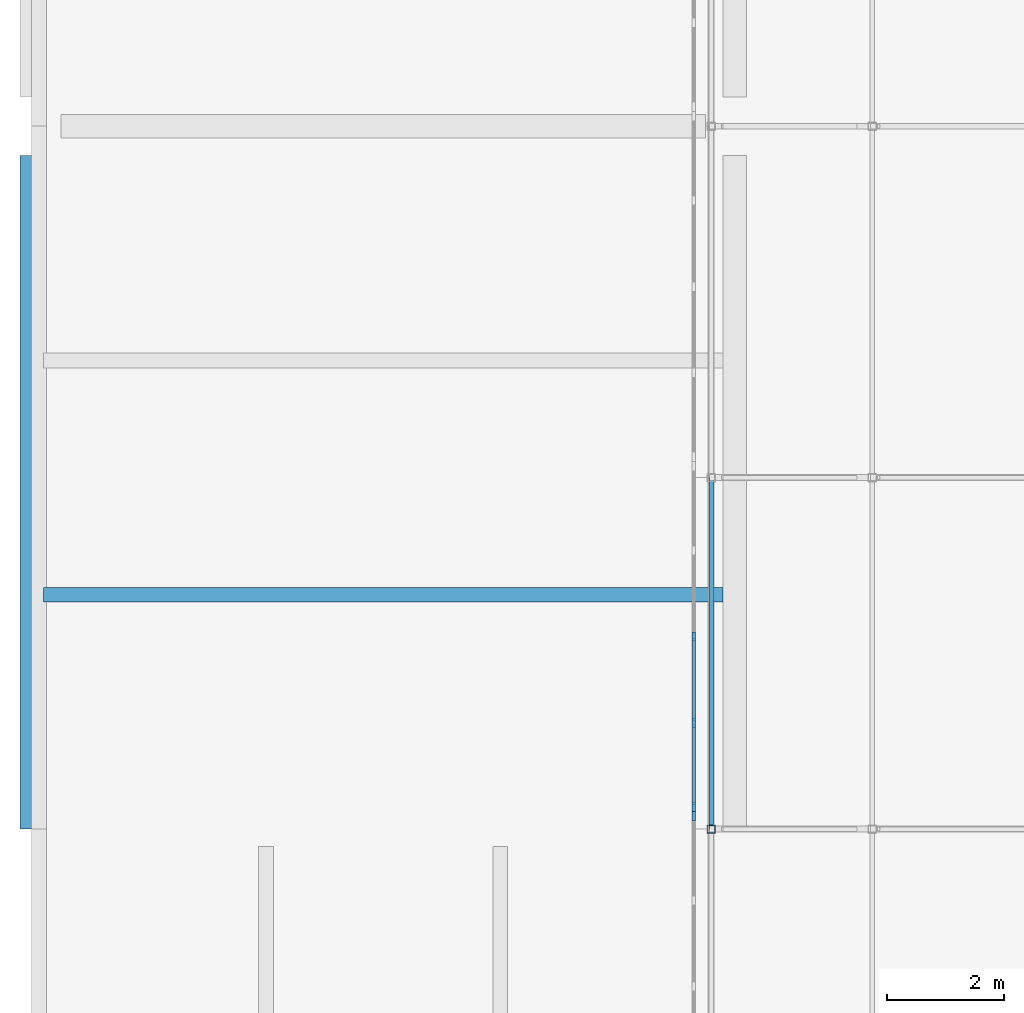
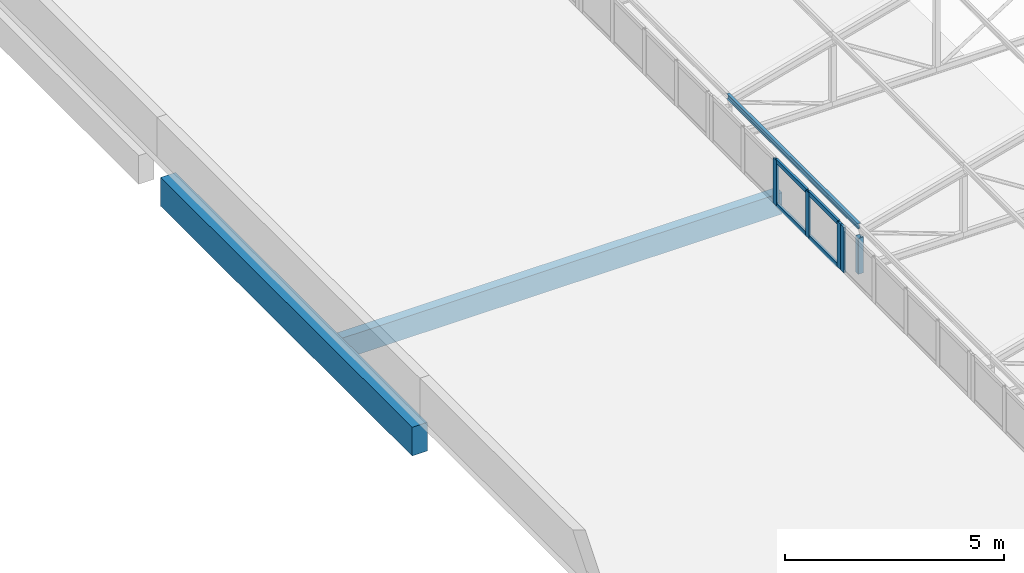
# One storey, part 8 of 94: 10 members, 2 beams, 2 elements without a shape of their own.
"""IFC4 building model written with IfcOpenShell, lengths in metres."""

from ifc_helpers import new_model, si_unit, direction, frame, origin, origin_2d, place, context, subcontext, project, spatial, rectangle, hollow_rectangle, i_section, extrude, material, layer, layer_set, material_profile, profile_set, type_object, element, aggregate, save


model = new_model("IFC4")

# Units and contexts
model_context = context("Model", 3, precision=1e-05, world=origin(), true_north=direction((0.0, 1.0)))
body_context = subcontext(model_context, "Body", "Model", "MODEL_VIEW")
ifc_project = project(units=[si_unit("LENGTHUNIT", "METRE"), si_unit("AREAUNIT", "SQUARE_METRE"), si_unit("VOLUMEUNIT", "CUBIC_METRE"), si_unit("PLANEANGLEUNIT", "RADIAN"), si_unit("MASSUNIT", "GRAM", prefix="KILO")], contexts=[model_context])

# Site, building, storey
site_placement = place(None, origin())
site = spatial("IfcSite", under=ifc_project, at=site_placement, CompositionType="ELEMENT")
building_placement = place(site_placement, origin())
building = spatial("IfcBuilding", under=site, at=building_placement, Name="Lilac Gate Convention Centre", CompositionType="ELEMENT")
storey_placement = place(building_placement, frame((0.0, 0.0, 21.0)))
storey = spatial("IfcBuildingStorey", under=building, at=storey_placement, Name="L04", CompositionType="ELEMENT", Elevation=21.0)

# Curtain wall, member
ifc_material_1 = material(Name="Aluminium framed double glazing", Category="aluminium")
ifc_layer = layer(ifc_material_1, 0.199951171875)
ifc_layer_set = layer_set([ifc_layer], Name="Aluminium framed double glazing")
curtain_wall_type = type_object("IfcCurtainWallType", Name="Unitised curtain wall 1500", PredefinedType="NOTDEFINED", material=ifc_layer_set)
curtain_wall_1_placement = place(storey_placement, origin())
curtain_wall_1 = element("IfcCurtainWall", 1, at=curtain_wall_1_placement, inside=storey, type_object=curtain_wall_type, Name="Lantern clerestory W 4", PredefinedType="NOTDEFINED")
ifc_material_2 = material(Name="Aluminium alloy 6063", Category="aluminium")
ifc_material_profile_1 = material_profile(ifc_material_2, rectangle(XDim=0.06005859375, YDim=0.159912109375, at=origin_2d()), Name="Curtain wall mullion 60 x 160")
ifc_profile_set_1 = profile_set([ifc_material_profile_1], Name="Aluminium alloy 6063")
member_type_1 = type_object("IfcMemberType", Name="Curtain wall mullion 60 x 160", PredefinedType="MULLION", material=ifc_profile_set_1)
member_1_placement = place(storey_placement, frame((17.300048828125, 54.219970703125, 0.0), z_axis=(0.0, 0.0, 1.0), x_axis=(-1.0, 0.0, 0.0)))
member_1 = element("IfcMember", 2, at=member_1_placement, type_object=member_type_1, Name="CW mullion 5", PredefinedType="MULLION", context=body_context, shape_type="SweptSolid", body=[
    extrude(rectangle(XDim=0.06005859375, YDim=0.159912109375, at=origin_2d()), origin(), (0.0, 0.0, 1.0), 1.272216796875),
])
aggregate(curtain_wall_1, [member_1])

# Curtain wall, members
curtain_wall_2_placement = place(storey_placement, origin())
curtain_wall_2 = element("IfcCurtainWall", 3, at=curtain_wall_2_placement, inside=storey, type_object=curtain_wall_type, Name="Lantern clerestory W 5", PredefinedType="NOTDEFINED")
member_2_placement = place(storey_placement, frame((17.300048828125, 54.380126953125, 0.0), z_axis=(0.0, 0.0, 1.0), x_axis=(-1.0, 0.0, 0.0)))
member_2 = element("IfcMember", 4, at=member_2_placement, type_object=member_type_1, Name="CW mullion 1", PredefinedType="MULLION", context=body_context, shape_type="SweptSolid", body=[
    extrude(rectangle(XDim=0.06005859375, YDim=0.159912109375, at=origin_2d()), origin(), (0.0, 0.0, 1.0), 1.272216796875),
])
member_3_placement = place(storey_placement, frame((17.300048828125, 55.81884765625, 0.0), z_axis=(0.0, 0.0, 1.0), x_axis=(-1.0, 0.0, 0.0)))
member_3 = element("IfcMember", 5, at=member_3_placement, type_object=member_type_1, Name="CW mullion 2", PredefinedType="MULLION", context=body_context, shape_type="SweptSolid", body=[
    extrude(rectangle(XDim=0.06005859375, YDim=0.159912109375, at=origin_2d()), origin(), (0.0, 0.0, 1.0), 1.272216796875),
])
member_4_placement = place(storey_placement, frame((17.300048828125, 57.28759765625, 0.0), z_axis=(0.0, 0.0, 1.0), x_axis=(-1.0, 0.0, 0.0)))
member_4 = element("IfcMember", 6, at=member_4_placement, type_object=member_type_1, Name="CW mullion 3", PredefinedType="MULLION", context=body_context, shape_type="SweptSolid", body=[
    extrude(rectangle(XDim=0.06005859375, YDim=0.159912109375, at=origin_2d()), origin(), (0.0, 0.0, 1.0), 1.272216796875),
])
ifc_material_profile_2 = material_profile(ifc_material_2, rectangle(XDim=0.06005859375, YDim=0.1201171875, at=origin_2d()), Name="Curtain wall transom 60 x 120")
ifc_profile_set_2 = profile_set([ifc_material_profile_2], Name="Aluminium alloy 6063")
member_type_2 = type_object("IfcMemberType", Name="Curtain wall transom 60 x 120", PredefinedType="USERDEFINED", material=ifc_profile_set_2)
member_5_placement = place(storey_placement, frame((17.300048828125, 54.41015625, 0.030029296875), z_axis=(0.0, 1.0, 0.0), x_axis=(-1.0, 0.0, 0.0)))
member_5 = element("IfcMember", 7, at=member_5_placement, type_object=member_type_2, Name="CW transom 1.1", ObjectType="TRANSOM", PredefinedType="USERDEFINED", context=body_context, shape_type="SweptSolid", body=[
    extrude(rectangle(XDim=0.06005859375, YDim=0.1201171875, at=origin_2d()), origin(), (0.0, 0.0, 1.0), 1.378662109375),
])
member_6_placement = place(storey_placement, frame((17.300048828125, 54.41015625, 1.2421875), z_axis=(0.0, 1.0, 0.0), x_axis=(-1.0, 0.0, 0.0)))
member_6 = element("IfcMember", 8, at=member_6_placement, type_object=member_type_2, Name="CW transom 1.2", ObjectType="TRANSOM", PredefinedType="USERDEFINED", context=body_context, shape_type="SweptSolid", body=[
    extrude(rectangle(XDim=0.06005859375, YDim=0.1201171875, at=origin_2d()), origin(), (0.0, 0.0, 1.0), 1.378662109375),
])
member_7_placement = place(storey_placement, frame((17.300048828125, 55.848876953125, 0.030029296875), z_axis=(0.0, 1.0, 0.0), x_axis=(-1.0, 0.0, 0.0)))
member_7 = element("IfcMember", 9, at=member_7_placement, type_object=member_type_2, Name="CW transom 2.1", ObjectType="TRANSOM", PredefinedType="USERDEFINED", context=body_context, shape_type="SweptSolid", body=[
    extrude(rectangle(XDim=0.06005859375, YDim=0.1201171875, at=origin_2d()), origin(), (0.0, 0.0, 1.0), 1.40869140625),
])
member_8_placement = place(storey_placement, frame((17.300048828125, 55.848876953125, 1.2421875), z_axis=(0.0, 1.0, 0.0), x_axis=(-1.0, 0.0, 0.0)))
member_8 = element("IfcMember", 10, at=member_8_placement, type_object=member_type_2, Name="CW transom 2.2", ObjectType="TRANSOM", PredefinedType="USERDEFINED", context=body_context, shape_type="SweptSolid", body=[
    extrude(rectangle(XDim=0.06005859375, YDim=0.1201171875, at=origin_2d()), origin(), (0.0, 0.0, 1.0), 1.40869140625),
])
aggregate(curtain_wall_2, [member_2, member_3, member_4, member_5, member_6, member_7, member_8])

# Members
ifc_material_3 = material(Name="Steel Q355B", Category="steel")
ifc_material_profile_3 = material_profile(ifc_material_3, hollow_rectangle(XDim=0.139892578125, YDim=0.139892578125, WallThickness=0.0048828125, InnerFilletRadius=0.0048828125, OuterFilletRadius=0.010009765625, at=origin_2d()), Name="SHS140x140x5")
ifc_profile_set_3 = profile_set([ifc_material_profile_3], Name="Steel Q355B")
member_type_3 = type_object("IfcMemberType", Name="Lantern post SHS140x140x5", PredefinedType="STRUT", material=ifc_profile_set_3)
member_9_placement = place(storey_placement, frame((17.60009765625, 54.0, 0.0), z_axis=(0.0, 0.0, 1.0), x_axis=(1.0, 0.0, 0.0)))
element("IfcMember", 11, at=member_9_placement, inside=storey, type_object=member_type_3, Name="LV1 lantern truss 5 post 1", PredefinedType="STRUT", context=body_context, shape_type="SweptSolid", body=[
    extrude(hollow_rectangle(XDim=0.139892578125, YDim=0.139892578125, WallThickness=0.0048828125, InnerFilletRadius=0.0048828125, OuterFilletRadius=0.010009765625, at=origin_2d()), origin(), (0.0, 0.0, 1.0), 1.001953125),
])
ifc_material_profile_4 = material_profile(ifc_material_3, i_section(OverallWidth=0.074951171875, OverallDepth=0.14990234375, WebThickness=0.0048828125, FlangeThickness=0.007080078125, FilletRadius=0.008056640625, at=origin_2d()), Name="HN150x75x5x7")
ifc_profile_set_4 = profile_set([ifc_material_profile_4], Name="Steel Q355B")
member_type_4 = type_object("IfcMemberType", Name="Lantern purlin HN150x75x5x7", PredefinedType="PURLIN", material=ifc_profile_set_4)
member_10_placement = place(storey_placement, frame((17.60009765625, 54.0, 1.279052734375), z_axis=(0.0, 1.0, 0.0), x_axis=(-1.0, 0.0, 0.0)))
element("IfcMember", 12, at=member_10_placement, inside=storey, type_object=member_type_4, Name="LP1 lantern purlin bay 5 line 1", PredefinedType="PURLIN", context=body_context, shape_type="SweptSolid", body=[
    extrude(i_section(OverallWidth=0.074951171875, OverallDepth=0.14990234375, WebThickness=0.0048828125, FlangeThickness=0.007080078125, FilletRadius=0.008056640625, at=origin_2d()), origin(), (0.0, 0.0, 1.0), 6.0),
])

# Beams
ifc_material_4 = material(Name="Concrete C40", Category="concrete")
ifc_material_profile_5 = material_profile(ifc_material_4, rectangle(XDim=0.39990234375, YDim=0.800048828125, at=origin_2d()), Name="RC 400x800")
ifc_profile_set_5 = profile_set([ifc_material_profile_5], Name="Concrete C40")
beam_type_1 = type_object("IfcBeamType", Name="Tower primary beam 400x800 C40", PredefinedType="BEAM", material=ifc_profile_set_5)
beam_1_placement = place(storey_placement, frame((6.0, 54.0, -0.60009765625), z_axis=(0.0, 1.0, 0.0), x_axis=(-1.0, 0.0, 0.0)))
element("IfcBeam", 13, at=beam_1_placement, inside=storey, type_object=beam_type_1, Name="RB3 L04 1/C-1/D", PredefinedType="BEAM", context=body_context, shape_type="SweptSolid", body=[
    extrude(rectangle(XDim=0.39990234375, YDim=0.800048828125, at=origin_2d()), origin(), (0.0, 0.0, 1.0), 11.5),
])
ifc_material_profile_6 = material_profile(ifc_material_4, rectangle(XDim=0.25, YDim=0.60009765625, at=origin_2d()), Name="RC 250x600")
ifc_profile_set_6 = profile_set([ifc_material_profile_6], Name="Concrete C40")
beam_type_2 = type_object("IfcBeamType", Name="Tower secondary beam 250x600 C40", PredefinedType="BEAM", material=ifc_profile_set_6)
beam_2_placement = place(storey_placement, frame((6.199951171875, 58.0, -0.5), z_axis=(1.0, 0.0, 0.0), x_axis=(0.0, 1.0, 0.0)))
element("IfcBeam", 14, at=beam_2_placement, inside=storey, type_object=beam_type_2, Name="RB4 L04 bay 1/C", PredefinedType="BEAM", context=body_context, shape_type="SweptSolid", body=[
    extrude(rectangle(XDim=0.25, YDim=0.60009765625, at=origin_2d()), origin(), (0.0, 0.0, 1.0), 11.60009765625),
])

save(model, "model.ifc")
